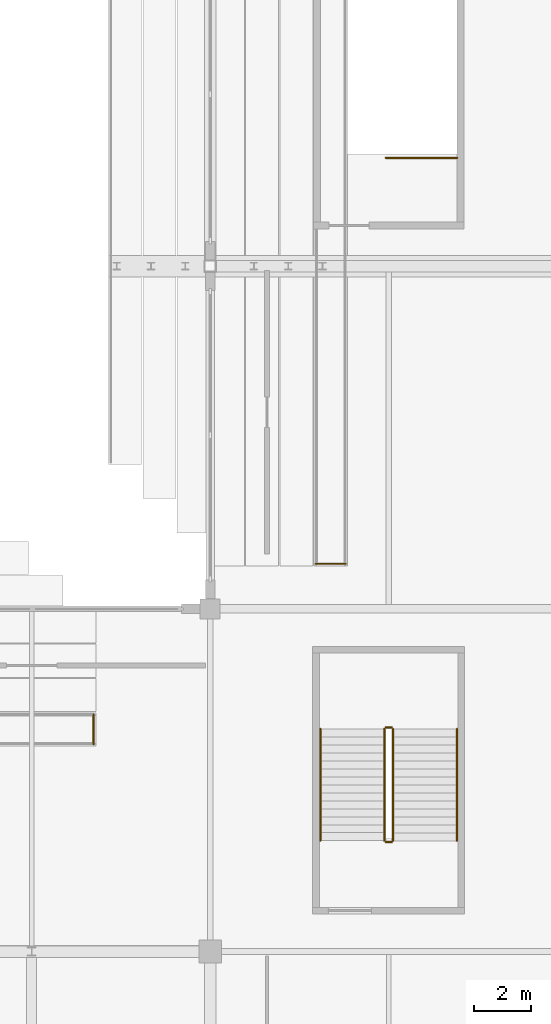
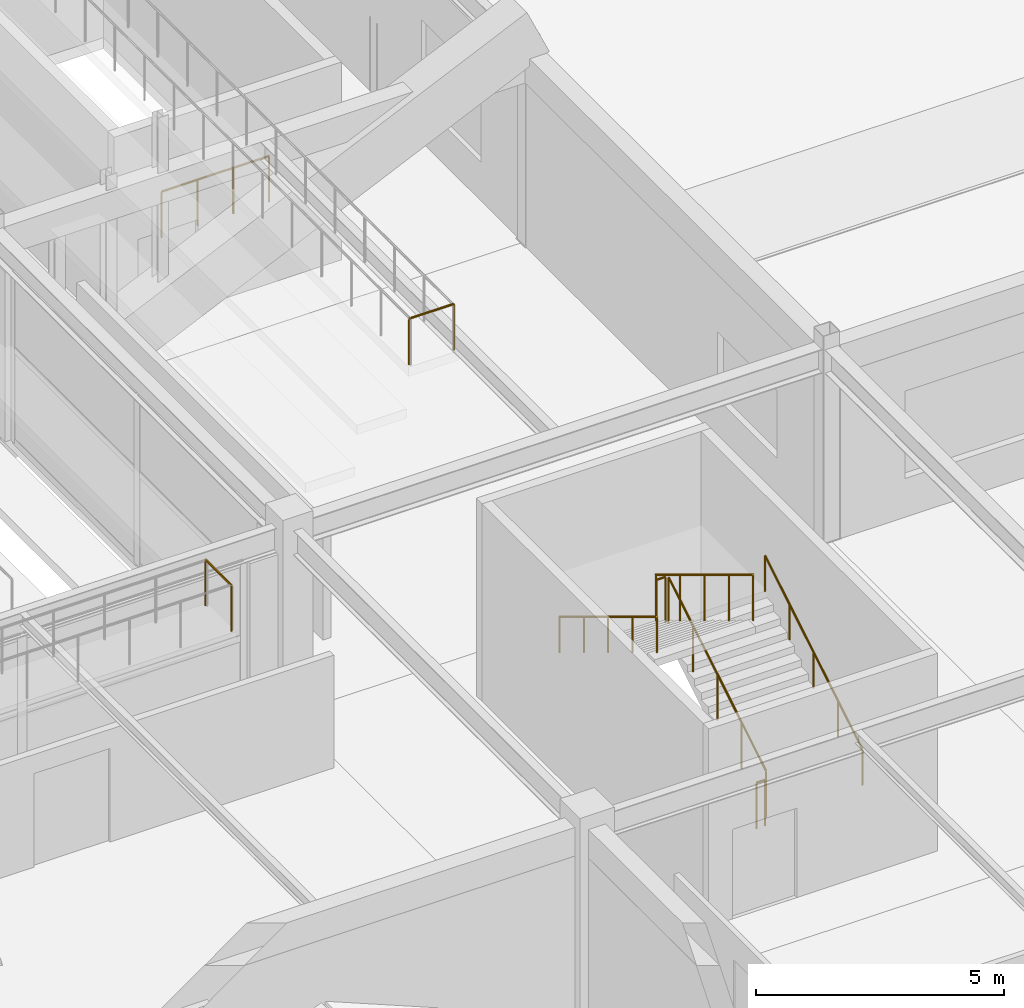
# One storey, part 118 of 128: 9 railings.
"""IFC4 building model written with IfcOpenShell, lengths in metres."""

from ifc_helpers import new_model, si_unit, direction, frame, origin, origin_2d, place, context, subcontext, project, spatial, circle, extrude, material, layer, layer_set, type_object, element, save


model = new_model("IFC4")

# Units and contexts
model_context = context("Model", 3, precision=1e-05, world=origin(), true_north=direction((0.0, 1.0)))
body_context = subcontext(model_context, "Body", "Model", "MODEL_VIEW")
ifc_project = project(units=[si_unit("LENGTHUNIT", "METRE"), si_unit("AREAUNIT", "SQUARE_METRE"), si_unit("VOLUMEUNIT", "CUBIC_METRE"), si_unit("PLANEANGLEUNIT", "RADIAN"), si_unit("MASSUNIT", "GRAM", prefix="KILO")], contexts=[model_context])

# Site, building, storey
site_placement = place(None, origin())
site = spatial("IfcSite", under=ifc_project, at=site_placement, CompositionType="ELEMENT")
building_placement = place(site_placement, origin())
building = spatial("IfcBuilding", under=site, at=building_placement, Name="Kazenohara Klinker Stadium", CompositionType="ELEMENT")
storey_placement = place(building_placement, frame((0.0, 0.0, 15.300048828125)))
storey = spatial("IfcBuildingStorey", under=building, at=storey_placement, Name="L03", CompositionType="ELEMENT", Elevation=15.300048828125)

# Railings
ifc_material_1 = material(Name="Galvanised powder-coated steel guardrail", Category="steel")
ifc_layer_1 = layer(ifc_material_1, 0.070068359375)
ifc_layer_set_1 = layer_set([ifc_layer_1], Name="Galvanised powder-coated steel guardrail")
railing_type_1 = type_object("IfcRailingType", Name="RL-GRD-1150", PredefinedType="GUARDRAIL", material=ifc_layer_set_1)
railing_1_placement = place(storey_placement, frame((178.699951171875, 37.580078125, 6.349853515625)))
element("IfcRailing", 1, at=railing_1_placement, inside=storey, type_object=railing_type_1, Name="Spectator stand sightline guardrail TIER-UPPER-E-01-S", PredefinedType="GUARDRAIL", context=body_context, shape_type="SweptSolid", body=[
    extrude(circle(Radius=0.02392578125, at=origin_2d()), frame((0.0, 0.0, 1.1259765625), z_axis=(1.0, 0.0, 0.0), x_axis=(0.0, 1.0, 0.0)), (0.0, 0.0, 1.0), 1.0400390625),
    extrude(circle(Radius=0.02099609375, at=origin_2d()), origin(), (0.0, 0.0, 1.0), 1.101806640625),
    extrude(circle(Radius=0.02099609375, at=origin_2d()), frame((1.0400390625, 0.0, 0.0)), (0.0, 0.0, 1.0), 1.101806640625),
])
railing_2_placement = place(storey_placement, frame((170.919921875, 31.260009765625, 6.349853515625)))
element("IfcRailing", 2, at=railing_2_placement, inside=storey, type_object=railing_type_1, Name="Spectator stand sightline guardrail TIER-UPPER-S-01-E", PredefinedType="GUARDRAIL", context=body_context, shape_type="SweptSolid", body=[
    extrude(circle(Radius=0.02392578125, at=origin_2d()), frame((0.0, 0.0, 1.1259765625), z_axis=(0.0, 1.0, 0.0), x_axis=(-1.0, 0.0, 0.0)), (0.0, 0.0, 1.0), 1.0400390625),
    extrude(circle(Radius=0.02099609375, at=origin_2d()), origin(), (0.0, 0.0, 1.0), 1.101806640625),
    extrude(circle(Radius=0.02099609375, at=origin_2d()), frame((0.0, 1.0400390625, 0.0)), (0.0, 0.0, 1.0), 1.101806640625),
])
ifc_material_2 = material(Name="Brushed stainless steel 304 handrail", Category="steel")
ifc_layer_2 = layer(ifc_material_2, 0.050048828125)
ifc_layer_set_2 = layer_set([ifc_layer_2], Name="Brushed stainless steel 304 handrail")
railing_type_2 = type_object("IfcRailingType", Name="RL-HND-900", PredefinedType="HANDRAIL", material=ifc_layer_set_2)
railing_3_placement = place(storey_placement, frame((183.639892578125, 27.8798828125, 0.169921875)))
element("IfcRailing", 3, at=railing_3_placement, inside=storey, type_object=railing_type_2, Name="L03 ST16 stair handrail 1", PredefinedType="HANDRAIL", context=body_context, shape_type="SweptSolid", body=[
    extrude(circle(Radius=0.02392578125, at=origin_2d()), frame((0.0, 0.0, 0.8759765625), z_axis=(0.0, 0.854784984964, 0.518982301701), x_axis=(-1.0, 0.0, 0.0)), (0.0, 0.0, 1.0), 4.586181640625),
    extrude(circle(Radius=0.02099609375, at=origin_2d()), origin(), (0.0, 0.0, 1.0), 0.851806640625),
    extrude(circle(Radius=0.02099609375, at=origin_2d()), frame((0.0, 0.97998046875, 0.594970703125)), (0.0, 0.0, 1.0), 0.851806640625),
    extrude(circle(Radius=0.02099609375, at=origin_2d()), frame((0.0, 1.9599609375, 1.18994140625)), (0.0, 0.0, 1.0), 0.851806640625),
    extrude(circle(Radius=0.02099609375, at=origin_2d()), frame((0.0, 2.940185546875, 1.78515625)), (0.0, 0.0, 1.0), 0.851806640625),
    extrude(circle(Radius=0.02099609375, at=origin_2d()), frame((0.0, 3.920166015625, 2.380126953125)), (0.0, 0.0, 1.0), 0.851806640625),
])
railing_4_placement = place(storey_placement, frame((178.860107421875, 31.800048828125, 2.719970703125)))
element("IfcRailing", 4, at=railing_4_placement, inside=storey, type_object=railing_type_2, Name="L03 ST16 stair handrail 2", PredefinedType="HANDRAIL", context=body_context, shape_type="SweptSolid", body=[
    extrude(circle(Radius=0.02392578125, at=origin_2d()), frame((0.0, 0.0, 0.8759765625), z_axis=(0.0, -0.854808600491, 0.518943403973), x_axis=(1.0, 0.0, 0.0)), (0.0, 0.0, 1.0), 4.5859375),
    extrude(circle(Radius=0.02099609375, at=origin_2d()), origin(), (0.0, 0.0, 1.0), 0.851806640625),
    extrude(circle(Radius=0.02099609375, at=origin_2d()), frame((0.0, -0.97998046875, 0.594970703125)), (0.0, 0.0, 1.0), 0.851806640625),
    extrude(circle(Radius=0.02099609375, at=origin_2d()), frame((0.0, -1.9599609375, 1.18994140625)), (0.0, 0.0, 1.0), 0.851806640625),
    extrude(circle(Radius=0.02099609375, at=origin_2d()), frame((0.0, -2.940185546875, 1.784912109375)), (0.0, 0.0, 1.0), 0.851806640625),
    extrude(circle(Radius=0.02099609375, at=origin_2d()), frame((0.0, -3.920166015625, 2.3798828125)), (0.0, 0.0, 1.0), 0.851806640625),
])
ifc_material_3 = material(Name="Painted steel stairwell guardrail", Category="steel")
ifc_layer_3 = layer(ifc_material_3, 0.06005859375)
ifc_layer_set_3 = layer_set([ifc_layer_3], Name="Painted steel stairwell guardrail")
railing_type_3 = type_object("IfcRailingType", Name="RL-STG-1120", PredefinedType="GUARDRAIL", material=ifc_layer_set_3)
railing_5_placement = place(storey_placement, frame((181.39990234375, 27.8798828125, 0.169921875)))
element("IfcRailing", 5, at=railing_5_placement, inside=storey, type_object=railing_type_3, Name="L03 ST16 stair guard 1", PredefinedType="GUARDRAIL", context=body_context, shape_type="SweptSolid", body=[
    extrude(circle(Radius=0.02392578125, at=origin_2d()), frame((0.0, 0.0, 1.1259765625), z_axis=(0.0, 0.854784984964, 0.518982301701), x_axis=(-1.0, 0.0, 0.0)), (0.0, 0.0, 1.0), 4.586181640625),
    extrude(circle(Radius=0.02099609375, at=origin_2d()), origin(), (0.0, 0.0, 1.0), 1.101806640625),
    extrude(circle(Radius=0.02099609375, at=origin_2d()), frame((0.0, 0.97998046875, 0.594970703125)), (0.0, 0.0, 1.0), 1.101806640625),
    extrude(circle(Radius=0.02099609375, at=origin_2d()), frame((0.0, 1.9599609375, 1.18994140625)), (0.0, 0.0, 1.0), 1.101806640625),
    extrude(circle(Radius=0.02099609375, at=origin_2d()), frame((0.0, 2.940185546875, 1.78515625)), (0.0, 0.0, 1.0), 1.101806640625),
    extrude(circle(Radius=0.02099609375, at=origin_2d()), frame((0.0, 3.920166015625, 2.380126953125)), (0.0, 0.0, 1.0), 1.101806640625),
])
railing_6_placement = place(storey_placement, frame((181.35009765625, 31.85009765625, 2.550048828125)))
element("IfcRailing", 6, at=railing_6_placement, inside=storey, type_object=railing_type_3, Name="L03 ST16 stair guard 2", PredefinedType="GUARDRAIL", context=body_context, shape_type="SweptSolid", body=[
    extrude(circle(Radius=0.02392578125, at=origin_2d()), frame((0.0, 0.0, 1.1259765625), z_axis=(-1.0, 0.0, 0.0), x_axis=(0.0, -1.0, 0.0)), (0.0, 0.0, 1.0), 0.2001953125),
    extrude(circle(Radius=0.02099609375, at=origin_2d()), origin(), (0.0, 0.0, 1.0), 1.101806640625),
    extrude(circle(Radius=0.02099609375, at=origin_2d()), frame((-0.2001953125, 0.0, 0.0)), (0.0, 0.0, 1.0), 1.101806640625),
])
railing_7_placement = place(storey_placement, frame((181.10009765625, 31.800048828125, 2.719970703125)))
element("IfcRailing", 7, at=railing_7_placement, inside=storey, type_object=railing_type_3, Name="L03 ST16 stair guard 3", PredefinedType="GUARDRAIL", context=body_context, shape_type="SweptSolid", body=[
    extrude(circle(Radius=0.02392578125, at=origin_2d()), frame((0.0, 0.0, 1.1259765625), z_axis=(0.0, -0.854808600491, 0.518943403973), x_axis=(1.0, 0.0, 0.0)), (0.0, 0.0, 1.0), 4.5859375),
    extrude(circle(Radius=0.02099609375, at=origin_2d()), origin(), (0.0, 0.0, 1.0), 1.101806640625),
    extrude(circle(Radius=0.02099609375, at=origin_2d()), frame((0.0, -0.97998046875, 0.594970703125)), (0.0, 0.0, 1.0), 1.101806640625),
    extrude(circle(Radius=0.02099609375, at=origin_2d()), frame((0.0, -1.9599609375, 1.18994140625)), (0.0, 0.0, 1.0), 1.101806640625),
    extrude(circle(Radius=0.02099609375, at=origin_2d()), frame((0.0, -2.940185546875, 1.784912109375)), (0.0, 0.0, 1.0), 1.101806640625),
    extrude(circle(Radius=0.02099609375, at=origin_2d()), frame((0.0, -3.920166015625, 2.3798828125)), (0.0, 0.0, 1.0), 1.101806640625),
])
railing_8_placement = place(storey_placement, frame((181.35009765625, 27.830078125, 0.0)))
element("IfcRailing", 8, at=railing_8_placement, inside=storey, type_object=railing_type_3, Name="L03 ST16 stair guard 4", PredefinedType="GUARDRAIL", context=body_context, shape_type="SweptSolid", body=[
    extrude(circle(Radius=0.02392578125, at=origin_2d()), frame((0.0, 0.0, 1.1259765625), z_axis=(-1.0, 0.0, 0.0), x_axis=(0.0, -1.0, 0.0)), (0.0, 0.0, 1.0), 0.2001953125),
    extrude(circle(Radius=0.02099609375, at=origin_2d()), origin(), (0.0, 0.0, 1.0), 1.101806640625),
    extrude(circle(Radius=0.02099609375, at=origin_2d()), frame((-0.2001953125, 0.0, 0.0)), (0.0, 0.0, 1.0), 1.101806640625),
])
railing_9_placement = place(storey_placement, frame((183.64990234375, 51.7900390625, 0.0)))
element("IfcRailing", 9, at=railing_9_placement, inside=storey, type_object=railing_type_3, Name="L03 ST21 top well guard 1", PredefinedType="GUARDRAIL", context=body_context, shape_type="SweptSolid", body=[
    extrude(circle(Radius=0.02392578125, at=origin_2d()), frame((0.0, 0.0, 1.1259765625), z_axis=(-1.0, 0.0, 0.0), x_axis=(0.0, -1.0, 0.0)), (0.0, 0.0, 1.0), 2.5),
    extrude(circle(Radius=0.02099609375, at=origin_2d()), origin(), (0.0, 0.0, 1.0), 1.101806640625),
    extrude(circle(Radius=0.02099609375, at=origin_2d()), frame((-0.833251953125, 0.0, 0.0)), (0.0, 0.0, 1.0), 1.101806640625),
    extrude(circle(Radius=0.02099609375, at=origin_2d()), frame((-1.666748046875, 0.0, 0.0)), (0.0, 0.0, 1.0), 1.101806640625),
    extrude(circle(Radius=0.02099609375, at=origin_2d()), frame((-2.5, 0.0, 0.0)), (0.0, 0.0, 1.0), 1.101806640625),
])

save(model, "model.ifc")
